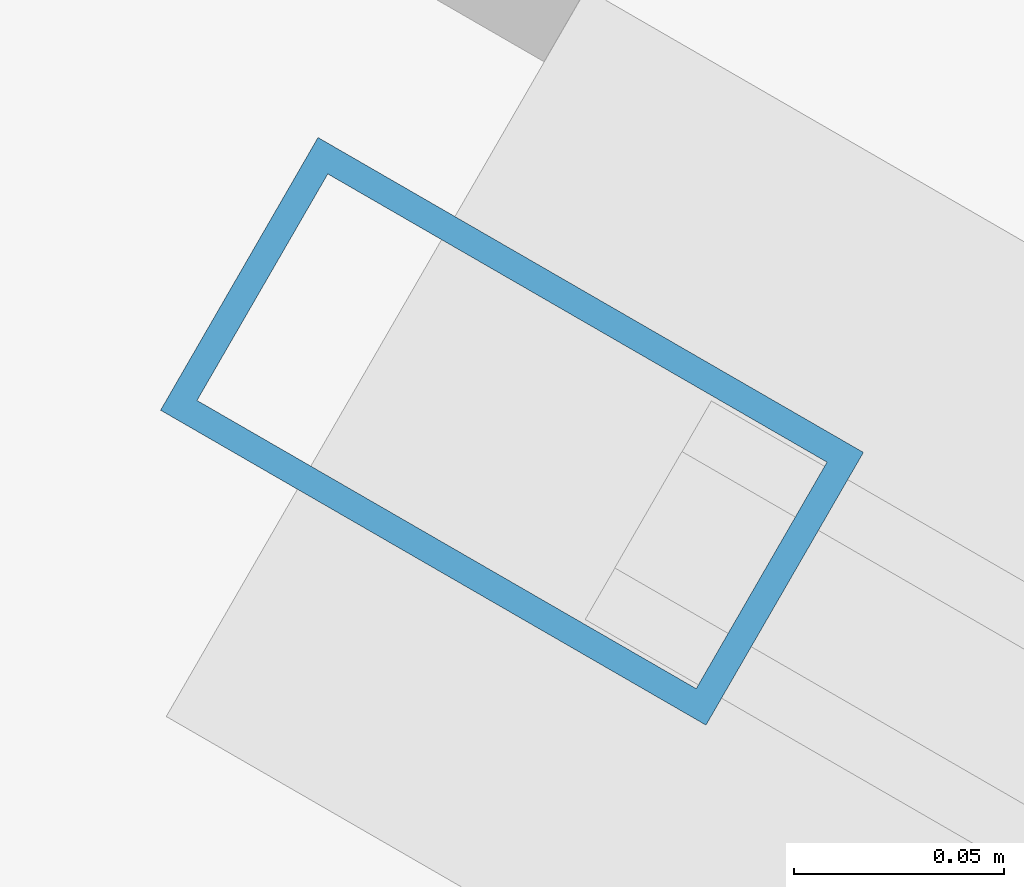
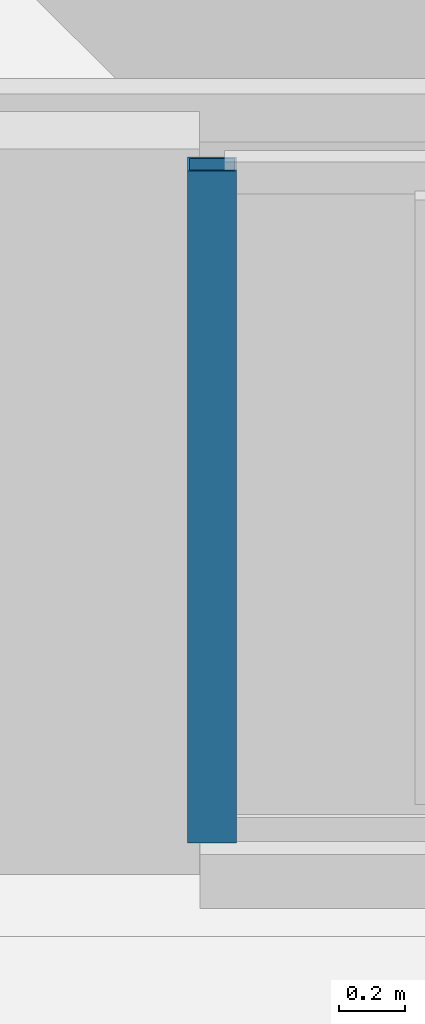
# One storey, part 4 of 18: 1 member, 1 element without a shape of its own.
"""IFC4 building model written with IfcOpenShell, lengths in metres."""

import ifcopenshell
import ifcopenshell.guid

model = None  # the IFC model being written
_history = None  # IfcOwnerHistory: only IFC2X3 demands one
_inside = {}  # id of a spatial element -> (the spatial element, [elements in it])
_under = {}  # id of a project, library or spatial element -> (it, [spatial elements below it])
_declared = {}  # id of a project -> (the project, [libraries it declares])
_typed = {}  # id of a type object -> (the type object, [elements of that type])
_made_of = {}  # id of a material, layer set ... -> (it, [elements and type objects made of it])


def new_model(schema):
    """Start an empty IFC model of exactly this schema.

    Asked for "IFC4X3", IfcOpenShell would pick the latest addendum, in which some entities
    have other attributes; the version numbers below select the first issue.
    IFC2X3 requires an IfcOwnerHistory on every rooted entity: one is made here for all.
    """
    global model, _history
    if schema == "IFC4X3":
        model = ifcopenshell.file(schema_version=(4, 3, 0, 0))
    else:
        model = ifcopenshell.file(schema=schema)
    _inside.clear()
    _under.clear()
    _declared.clear()
    _typed.clear()
    _made_of.clear()
    _history = None
    if model.schema == "IFC2X3":
        org = make("IfcOrganization", Name="unknown")
        user = make(
            "IfcPersonAndOrganization",
            ThePerson=make("IfcPerson", FamilyName="unknown"),
            TheOrganization=org,
        )
        app = make(
            "IfcApplication",
            ApplicationDeveloper=org,
            Version="unknown",
            ApplicationFullName="unknown",
            ApplicationIdentifier="unknown",
        )
        _history = make(
            "IfcOwnerHistory",
            OwningUser=user,
            OwningApplication=app,
            ChangeAction="ADDED",
            CreationDate=0,
        )
    return model


def make(cls, **values):
    """One entity of the class cls with the attributes given. An attribute that is None is left unset."""
    return model.create_entity(
        cls, **{name: value for name, value in values.items() if value is not None}
    )


def rooted(cls, **values):
    """An entity with a GlobalId (a new one), such as an element, a storey or a relation."""
    return make(cls, GlobalId=ifcopenshell.guid.new(), OwnerHistory=_history, **values)


def si_unit(unit_type, name, prefix=None):
    """IfcSIUnit, for example si_unit("LENGTHUNIT", "METRE", prefix="MILLI")."""
    return make("IfcSIUnit", UnitType=unit_type, Prefix=prefix, Name=name)


def assignment(units):
    """IfcUnitAssignment: the units of a project."""
    return None if units is None else make("IfcUnitAssignment", Units=units)


def point(xyz):
    """IfcCartesianPoint."""
    return None if xyz is None else make("IfcCartesianPoint", Coordinates=xyz)


def direction(xyz):
    """IfcDirection."""
    return None if xyz is None else make("IfcDirection", DirectionRatios=xyz)


def frame(location, z_axis=None, x_axis=None):
    """IfcAxis2Placement3D, a coordinate frame: its origin and axes. An axis left out is left unset."""
    return make(
        "IfcAxis2Placement3D",
        Location=point(location),
        Axis=direction(z_axis),
        RefDirection=direction(x_axis),
    )


def frame_2d(location, x_axis=None):
    """IfcAxis2Placement2D, a coordinate frame in the plane: its origin and x axis."""
    return make(
        "IfcAxis2Placement2D", Location=point(location), RefDirection=direction(x_axis)
    )


def origin():
    """The frame at (0, 0, 0) with its axes left unset."""
    return frame((0.0, 0.0, 0.0))


def origin_2d():
    """The frame at (0, 0) in the plane with its x axis left unset."""
    return frame_2d((0.0, 0.0))


def place(relative_to, where):
    """IfcLocalPlacement: puts the frame where relative to a parent placement (None: the world)."""
    return make(
        "IfcLocalPlacement", PlacementRelTo=relative_to, RelativePlacement=where
    )


def context(
    kind, dimensions, precision=None, world=None, true_north=None, identifier=None
):
    """IfcGeometricRepresentationContext, for example the 3D "Model" context."""
    return make(
        "IfcGeometricRepresentationContext",
        ContextIdentifier=identifier,
        ContextType=kind,
        CoordinateSpaceDimension=dimensions,
        Precision=precision,
        WorldCoordinateSystem=world,
        TrueNorth=true_north,
    )


def subcontext(parent, identifier, kind, view, scale=None):
    """IfcGeometricRepresentationSubContext, for example "Body" below "Model"."""
    return make(
        "IfcGeometricRepresentationSubContext",
        ContextIdentifier=identifier,
        ContextType=kind,
        ParentContext=parent,
        TargetScale=scale,
        TargetView=view,
    )


def project(units=None, contexts=None):
    """IfcProject with its units and contexts."""
    return rooted(
        "IfcProject",
        Name="project",
        RepresentationContexts=contexts,
        UnitsInContext=assignment(units),
    )


def spatial(cls, under=None, at=None, **own):
    """A site, building, storey or space (cls), placed at a placement, below another one or the project."""
    s = rooted(cls, ObjectPlacement=at, **own)
    if under is not None:
        _under.setdefault(under.id(), (under, []))[1].append(s)
    return s


def profile(cls, at=None, kind="AREA", **sizes):
    """A parametric profile (cls). Its sizes go by their IFC names, for example OverallWidth=200.0."""
    return make(cls, ProfileType=kind, Position=at, **sizes)


def hollow_rectangle(**sizes):
    """IfcRectangleHollowProfileDef."""
    return profile("IfcRectangleHollowProfileDef", **sizes)


def extrude(swept, where, along, depth):
    """IfcExtrudedAreaSolid: the profile swept, set in the frame where, extruded along a direction by depth."""
    return make(
        "IfcExtrudedAreaSolid",
        SweptArea=swept,
        Position=where,
        ExtrudedDirection=direction(along),
        Depth=depth,
    )


def shape(context_of_items, identifier, shape_type, items):
    """IfcShapeRepresentation: the items that make up one representation, for example the "Body"."""
    return make(
        "IfcShapeRepresentation",
        ContextOfItems=context_of_items,
        RepresentationIdentifier=identifier,
        RepresentationType=shape_type,
        Items=items,
    )


def material(Name=None, Category=None):
    """IfcMaterial."""
    return make("IfcMaterial", Name=Name, Category=Category)


def layer(
    of_material, thickness, ventilated=None, Name=None, Category=None, Priority=None
):
    """IfcMaterialLayer: one layer of a wall or slab, of a material (None: an air gap)."""
    return make(
        "IfcMaterialLayer",
        Material=of_material,
        LayerThickness=thickness,
        IsVentilated=ventilated,
        Name=Name,
        Category=Category,
        Priority=Priority,
    )


def layer_set(layers, Name=None):
    """IfcMaterialLayerSet."""
    return make("IfcMaterialLayerSet", MaterialLayers=layers, LayerSetName=Name)


def material_profile(
    of_material, cross_section, Name=None, Category=None, Priority=None
):
    """IfcMaterialProfile: a cross section and its material."""
    return make(
        "IfcMaterialProfile",
        Name=Name,
        Material=of_material,
        Profile=cross_section,
        Priority=Priority,
        Category=Category,
    )


def profile_set(profiles, Name=None, composite=None):
    """IfcMaterialProfileSet."""
    return make(
        "IfcMaterialProfileSet",
        Name=Name,
        MaterialProfiles=profiles,
        CompositeProfile=composite,
    )


def made_of(thing, what):
    """Note that an element or type object is made of a material, layer set ...; save() writes the relation."""
    if what is not None:
        _made_of.setdefault(what.id(), (what, []))[1].append(thing)
    return thing


def type_object(cls, material=None, **own):
    """A type object (cls), such as IfcWallType, which elements share."""
    return made_of(rooted(cls, **own), material)


def element(
    cls,
    number,
    at=None,
    inside=None,
    cuts=None,
    type_object=None,
    material=None,
    context=None,
    identifier="Body",
    shape_type=None,
    held_by="IfcProductDefinitionShape",
    body=None,
    shapes=None,
    **own,
):
    """One element of the class cls, such as IfcWall. Its Tag is "e" and its number.

    at: its placement. inside: the storey or other place that contains it. cuts: it is an
    opening in that element (IfcRelVoidsElement). A single representation is given by context,
    identifier, shape_type and body (its items); several are given by shapes. held_by: the class
    of the entity that holds the representations. save() writes the other relations.
    """
    e = rooted(cls, Tag="e%d" % number, ObjectPlacement=at, **own)
    if body is not None:
        shapes = [shape(context, identifier, shape_type, body)]
    if shapes is not None:
        e.Representation = make(held_by, Representations=shapes)
    if inside is not None:
        _inside.setdefault(inside.id(), (inside, []))[1].append(e)
    if cuts is not None:
        rooted(
            "IfcRelVoidsElement", RelatingBuildingElement=cuts, RelatedOpeningElement=e
        )
    if type_object is not None:
        _typed.setdefault(type_object.id(), (type_object, []))[1].append(e)
    return made_of(e, material)


def aggregate(whole, parts):
    """IfcRelAggregates: a whole, such as a stair, and the parts it consists of."""
    return rooted("IfcRelAggregates", RelatingObject=whole, RelatedObjects=parts)


def save(model, path):
    """Write the relations noted so far, then the file.

    IfcRelAggregates (storeys below a building ...), IfcRelContainedInSpatialStructure (elements
    in a storey), IfcRelDefinesByType, IfcRelAssociatesMaterial and IfcRelDeclares: one each for
    every whole, place, type object, material and project.
    """
    for whole, parts in _under.values():
        aggregate(whole, parts)
    for where, things in _inside.values():
        rooted(
            "IfcRelContainedInSpatialStructure",
            RelatedElements=things,
            RelatingStructure=where,
        )
    for kind, things in _typed.values():
        rooted("IfcRelDefinesByType", RelatedObjects=things, RelatingType=kind)
    for what, things in _made_of.values():
        rooted("IfcRelAssociatesMaterial", RelatedObjects=things, RelatingMaterial=what)
    for by, libraries in _declared.values():
        rooted("IfcRelDeclares", RelatingContext=by, RelatedDefinitions=libraries)
    model.write(path)


model = new_model("IFC4")

# Units and contexts
model_context = context("Model", 3, precision=1e-05, world=origin(), true_north=direction((0.0, 1.0)))
body_context = subcontext(model_context, "Body", "Model", "MODEL_VIEW")
ifc_project = project(units=[si_unit("LENGTHUNIT", "METRE"), si_unit("AREAUNIT", "SQUARE_METRE"), si_unit("VOLUMEUNIT", "CUBIC_METRE"), si_unit("PLANEANGLEUNIT", "RADIAN"), si_unit("MASSUNIT", "GRAM", prefix="KILO")], contexts=[model_context])

# Site, building, storey
site_placement = place(None, origin())
site = spatial("IfcSite", under=ifc_project, at=site_placement, CompositionType="ELEMENT")
building_placement = place(site_placement, origin())
building = spatial("IfcBuilding", under=site, at=building_placement, Name="Mersakhor Tower and Convention Hall", CompositionType="ELEMENT")
storey_placement = place(building_placement, frame((0.0, 0.0, 243.0)))
storey = spatial("IfcBuildingStorey", under=building, at=storey_placement, Name="L68", CompositionType="ELEMENT", Elevation=243.0)

# Curtain wall, member
ifc_material_1 = material(Name="Dark solar low-E aluminium curtain wall", Category="aluminium")
ifc_layer = layer(ifc_material_1, 0.179931640625)
ifc_layer_set = layer_set([ifc_layer], Name="Dark solar low-E aluminium curtain wall")
curtain_wall_type = type_object("IfcCurtainWallType", Name="CW-SYS-03", PredefinedType="USERDEFINED", material=ifc_layer_set)
curtain_wall_placement = place(storey_placement, origin())
curtain_wall = element("IfcCurtainWall", 1, at=curtain_wall_placement, inside=storey, type_object=curtain_wall_type, Name="L68 Dark-Glass Curtain Wall F3-B2", ObjectType="CURTAIN WALL", PredefinedType="USERDEFINED")
ifc_material_2 = material(Name="Anodised aluminium EN AW-6063 T6", Category="aluminium")
ifc_material_profile = material_profile(ifc_material_2, hollow_rectangle(XDim=0.074951171875, YDim=0.14990234375, WallThickness=0.00634765625, at=origin_2d()), Name="RHS 150x75x6.3")
ifc_profile_set = profile_set([ifc_material_profile], Name="Anodised aluminium EN AW-6063 T6")
member_type = type_object("IfcMemberType", Name="CWM-150x75", PredefinedType="MULLION", material=ifc_profile_set)
member_placement = place(storey_placement, frame((20.098388671875, 19.484619140625, 0.199951171875), z_axis=(0.0, 0.0, 1.0), x_axis=(-0.500004411169, -0.86602285698, 0.0)))
member = element("IfcMember", 2, at=member_placement, type_object=member_type, Name="CW-03 mullion 3", PredefinedType="MULLION", context=body_context, shape_type="SweptSolid", body=[
    extrude(hollow_rectangle(XDim=0.074951171875, YDim=0.14990234375, WallThickness=0.00634765625, at=origin_2d()), origin(), (0.0, 0.0, 1.0), 2.5),
])
aggregate(curtain_wall, [member])

save(model, "model.ifc")
